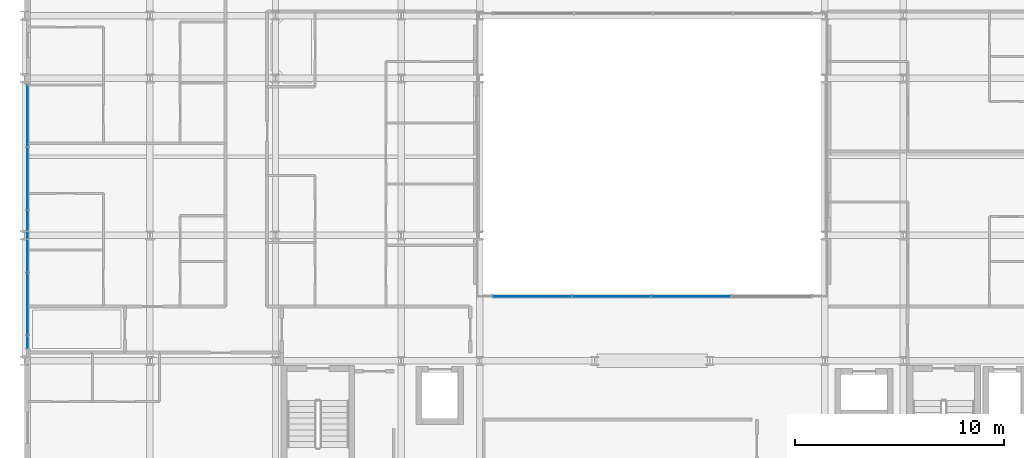
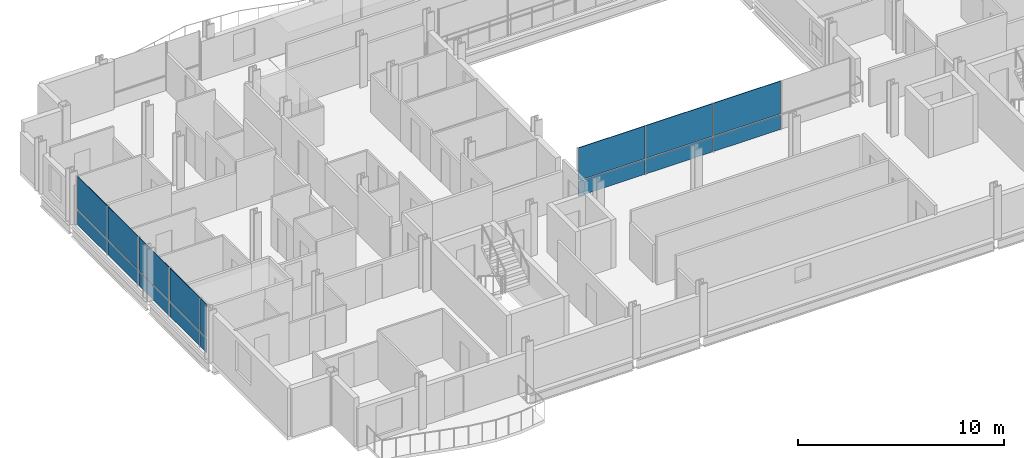
# One storey, part 26 of 40: 16 plates, 2 elements without a shape of their own.
"""IFC4 building model written with IfcOpenShell, lengths in metres."""

from ifc_helpers import new_model, si_unit, direction, frame, origin, origin_2d, place, context, subcontext, project, spatial, rectangle, extrude, material, layer, layer_set, type_object, element, aggregate, save


model = new_model("IFC4")

# Units and contexts
model_context = context("Model", 3, precision=1e-05, world=origin(), true_north=direction((0.0, 1.0)))
body_context = subcontext(model_context, "Body", "Model", "MODEL_VIEW")
ifc_project = project(units=[si_unit("LENGTHUNIT", "METRE"), si_unit("AREAUNIT", "SQUARE_METRE"), si_unit("VOLUMEUNIT", "CUBIC_METRE"), si_unit("PLANEANGLEUNIT", "RADIAN"), si_unit("MASSUNIT", "GRAM", prefix="KILO")], contexts=[model_context])

# Site, building, storey
site_placement = place(None, origin())
site = spatial("IfcSite", under=ifc_project, at=site_placement, CompositionType="ELEMENT")
building_placement = place(site_placement, origin())
building = spatial("IfcBuilding", under=site, at=building_placement, Name="Brevholm Reach", CompositionType="ELEMENT")
storey_placement = place(building_placement, frame((0.0, 0.0, 62.10009765625)))
storey = spatial("IfcBuildingStorey", under=building, at=storey_placement, Name="L17", CompositionType="ELEMENT", Elevation=62.10009765625)

# Curtain wall, plates
ifc_material_1 = material(Name="Dark Anodised Aluminium 6063-T6 and Solar-Control Glass", Category="aluminium")
ifc_layer_1 = layer(ifc_material_1, 0.14990234375)
ifc_layer_set_1 = layer_set([ifc_layer_1], Name="Dark Anodised Aluminium 6063-T6 and Solar-Control Glass")
curtain_wall_type_1 = type_object("IfcCurtainWallType", Name="CW-01", PredefinedType="NOTDEFINED", material=ifc_layer_set_1)
curtain_wall_1_placement = place(storey_placement, origin())
curtain_wall_1 = element("IfcCurtainWall", 1, at=curtain_wall_1_placement, inside=storey, type_object=curtain_wall_type_1, Name="L17 Curtain Wall CW-01", PredefinedType="NOTDEFINED")
ifc_material_2 = material(Name="Dark Solar-Control Double-Glazed IGU Glass", Category="glass")
ifc_layer_2 = layer(ifc_material_2, 0.028076171875)
ifc_layer_set_2 = layer_set([ifc_layer_2], Name="Dark Solar-Control Double-Glazed IGU Glass")
plate_type_1 = type_object("IfcPlateType", Name="CWP-GLZ-28", PredefinedType="CURTAIN_PANEL", material=ifc_layer_set_2)
plate_1_placement = place(storey_placement, frame((0.14990234375, 21.703857421875, 0.0), z_axis=(0.0, 0.0, 1.0), x_axis=(0.0, -1.0, 0.0)))
plate_1 = element("IfcPlate", 2, at=plate_1_placement, type_object=plate_type_1, Name="CP-01 Glazing Panel 1.1", PredefinedType="CURTAIN_PANEL", context=body_context, shape_type="SweptSolid", body=[
    extrude(rectangle(XDim=2.902587890625, YDim=0.028076171875, at=origin_2d()), origin(), (0.0, 0.0, 1.0), 0.867431640625),
])
plate_2_placement = place(storey_placement, frame((0.14990234375, 21.703857421875, 0.932373046875), z_axis=(0.0, 0.0, 1.0), x_axis=(0.0, -1.0, 0.0)))
plate_2 = element("IfcPlate", 3, at=plate_2_placement, type_object=plate_type_1, Name="CP-01 Glazing Panel 1.2", PredefinedType="CURTAIN_PANEL", context=body_context, shape_type="SweptSolid", body=[
    extrude(rectangle(XDim=2.902587890625, YDim=0.028076171875, at=origin_2d()), origin(), (0.0, 0.0, 1.0), 1.9375),
])
plate_3_placement = place(storey_placement, frame((0.14990234375, 18.719970703125, 0.0), z_axis=(0.0, 0.0, 1.0), x_axis=(0.0, -1.0, 0.0)))
plate_3 = element("IfcPlate", 4, at=plate_3_placement, type_object=plate_type_1, Name="CP-01 Glazing Panel 2.1", PredefinedType="CURTAIN_PANEL", context=body_context, shape_type="SweptSolid", body=[
    extrude(rectangle(XDim=2.93505859375, YDim=0.028076171875, at=origin_2d()), origin(), (0.0, 0.0, 1.0), 0.867431640625),
])
plate_4_placement = place(storey_placement, frame((0.14990234375, 18.719970703125, 0.932373046875), z_axis=(0.0, 0.0, 1.0), x_axis=(0.0, -1.0, 0.0)))
plate_4 = element("IfcPlate", 5, at=plate_4_placement, type_object=plate_type_1, Name="CP-01 Glazing Panel 2.2", PredefinedType="CURTAIN_PANEL", context=body_context, shape_type="SweptSolid", body=[
    extrude(rectangle(XDim=2.93505859375, YDim=0.028076171875, at=origin_2d()), origin(), (0.0, 0.0, 1.0), 1.9375),
])
plate_5_placement = place(storey_placement, frame((0.14990234375, 15.719970703125, 0.0), z_axis=(0.0, 0.0, 1.0), x_axis=(0.0, -1.0, 0.0)))
plate_5 = element("IfcPlate", 6, at=plate_5_placement, type_object=plate_type_1, Name="CP-01 Glazing Panel 3.1", PredefinedType="CURTAIN_PANEL", context=body_context, shape_type="SweptSolid", body=[
    extrude(rectangle(XDim=2.93505859375, YDim=0.028076171875, at=origin_2d()), origin(), (0.0, 0.0, 1.0), 0.867431640625),
])
plate_6_placement = place(storey_placement, frame((0.14990234375, 15.719970703125, 0.932373046875), z_axis=(0.0, 0.0, 1.0), x_axis=(0.0, -1.0, 0.0)))
plate_6 = element("IfcPlate", 7, at=plate_6_placement, type_object=plate_type_1, Name="CP-01 Glazing Panel 3.2", PredefinedType="CURTAIN_PANEL", context=body_context, shape_type="SweptSolid", body=[
    extrude(rectangle(XDim=2.93505859375, YDim=0.028076171875, at=origin_2d()), origin(), (0.0, 0.0, 1.0), 1.9375),
])
plate_7_placement = place(storey_placement, frame((0.14990234375, 12.719970703125, 0.0), z_axis=(0.0, 0.0, 1.0), x_axis=(0.0, -1.0, 0.0)))
plate_7 = element("IfcPlate", 8, at=plate_7_placement, type_object=plate_type_1, Name="CP-01 Glazing Panel 4.1", PredefinedType="CURTAIN_PANEL", context=body_context, shape_type="SweptSolid", body=[
    extrude(rectangle(XDim=2.93505859375, YDim=0.028076171875, at=origin_2d()), origin(), (0.0, 0.0, 1.0), 0.867431640625),
])
plate_8_placement = place(storey_placement, frame((0.14990234375, 12.719970703125, 0.932373046875), z_axis=(0.0, 0.0, 1.0), x_axis=(0.0, -1.0, 0.0)))
plate_8 = element("IfcPlate", 9, at=plate_8_placement, type_object=plate_type_1, Name="CP-01 Glazing Panel 4.2", PredefinedType="CURTAIN_PANEL", context=body_context, shape_type="SweptSolid", body=[
    extrude(rectangle(XDim=2.93505859375, YDim=0.028076171875, at=origin_2d()), origin(), (0.0, 0.0, 1.0), 1.9375),
])
plate_9_placement = place(storey_placement, frame((0.14990234375, 10.9013671875, 0.0), z_axis=(0.0, 0.0, 1.0), x_axis=(0.0, -1.0, 0.0)))
plate_9 = element("IfcPlate", 10, at=plate_9_placement, type_object=plate_type_1, Name="CP-01 Glazing Panel 5.1", PredefinedType="CURTAIN_PANEL", context=body_context, shape_type="SweptSolid", body=[
    extrude(rectangle(XDim=0.572509765625, YDim=0.028076171875, at=origin_2d()), origin(), (0.0, 0.0, 1.0), 0.867431640625),
])
plate_10_placement = place(storey_placement, frame((0.14990234375, 10.9013671875, 0.932373046875), z_axis=(0.0, 0.0, 1.0), x_axis=(0.0, -1.0, 0.0)))
plate_10 = element("IfcPlate", 11, at=plate_10_placement, type_object=plate_type_1, Name="CP-01 Glazing Panel 5.2", PredefinedType="CURTAIN_PANEL", context=body_context, shape_type="SweptSolid", body=[
    extrude(rectangle(XDim=0.572509765625, YDim=0.028076171875, at=origin_2d()), origin(), (0.0, 0.0, 1.0), 1.9375),
])
aggregate(curtain_wall_1, [plate_1, plate_2, plate_3, plate_4, plate_5, plate_6, plate_7, plate_8, plate_9, plate_10])

ifc_material_3 = material(Name="Dark Anodised Aluminium 6063-T6 and Solar-Control Glass", Category="aluminium")
ifc_layer_3 = layer(ifc_material_3, 0.139892578125)
ifc_layer_set_3 = layer_set([ifc_layer_3], Name="Dark Anodised Aluminium 6063-T6 and Solar-Control Glass")
curtain_wall_type_2 = type_object("IfcCurtainWallType", Name="CW-02", PredefinedType="NOTDEFINED", material=ifc_layer_set_3)
curtain_wall_2_placement = place(storey_placement, origin())
curtain_wall_2 = element("IfcCurtainWall", 12, at=curtain_wall_2_placement, inside=storey, type_object=curtain_wall_type_2, Name="L17 Curtain Wall CW-02", PredefinedType="NOTDEFINED")
ifc_material_4 = material(Name="Low-Iron Laminated Acoustic Glass", Category="glass")
ifc_layer_4 = layer(ifc_material_4, 0.035888671875)
ifc_layer_set_4 = layer_set([ifc_layer_4], Name="Low-Iron Laminated Acoustic Glass")
plate_type_2 = type_object("IfcPlateType", Name="CWP-GLZ-36", PredefinedType="CURTAIN_PANEL", material=ifc_layer_set_4)
plate_11_placement = place(storey_placement, frame((24.264892578125, 13.080078125, -0.000244140625), z_axis=(0.0, 0.0, 1.0), x_axis=(1.0, 0.0, 0.0)))
plate_11 = element("IfcPlate", 13, at=plate_11_placement, type_object=plate_type_2, Name="CP-02 Glazing Panel 1.1", PredefinedType="CURTAIN_PANEL", context=body_context, shape_type="SweptSolid", body=[
    extrude(rectangle(XDim=3.7099609375, YDim=0.035888671875, at=origin_2d()), origin(), (0.0, 0.0, 1.0), 0.8701171875),
])
plate_12_placement = place(storey_placement, frame((24.264892578125, 13.080078125, 0.929931640625), z_axis=(0.0, 0.0, 1.0), x_axis=(1.0, 0.0, 0.0)))
plate_12 = element("IfcPlate", 14, at=plate_12_placement, type_object=plate_type_2, Name="CP-02 Glazing Panel 1.2", PredefinedType="CURTAIN_PANEL", context=body_context, shape_type="SweptSolid", body=[
    extrude(rectangle(XDim=3.7099609375, YDim=0.035888671875, at=origin_2d()), origin(), (0.0, 0.0, 1.0), 1.93994140625),
])
plate_13_placement = place(storey_placement, frame((28.050048828125, 13.080078125, -0.000244140625), z_axis=(0.0, 0.0, 1.0), x_axis=(1.0, 0.0, 0.0)))
plate_13 = element("IfcPlate", 15, at=plate_13_placement, type_object=plate_type_2, Name="CP-02 Glazing Panel 2.1", PredefinedType="CURTAIN_PANEL", context=body_context, shape_type="SweptSolid", body=[
    extrude(rectangle(XDim=3.739990234375, YDim=0.035888671875, at=origin_2d()), origin(), (0.0, 0.0, 1.0), 0.8701171875),
])
plate_14_placement = place(storey_placement, frame((28.050048828125, 13.080078125, 0.929931640625), z_axis=(0.0, 0.0, 1.0), x_axis=(1.0, 0.0, 0.0)))
plate_14 = element("IfcPlate", 16, at=plate_14_placement, type_object=plate_type_2, Name="CP-02 Glazing Panel 2.2", PredefinedType="CURTAIN_PANEL", context=body_context, shape_type="SweptSolid", body=[
    extrude(rectangle(XDim=3.739990234375, YDim=0.035888671875, at=origin_2d()), origin(), (0.0, 0.0, 1.0), 1.93994140625),
])
plate_15_placement = place(storey_placement, frame((31.85009765625, 13.080078125, -0.000244140625), z_axis=(0.0, 0.0, 1.0), x_axis=(1.0, 0.0, 0.0)))
plate_15 = element("IfcPlate", 17, at=plate_15_placement, type_object=plate_type_2, Name="CP-02 Glazing Panel 3.1", PredefinedType="CURTAIN_PANEL", context=body_context, shape_type="SweptSolid", body=[
    extrude(rectangle(XDim=3.739990234375, YDim=0.035888671875, at=origin_2d()), origin(), (0.0, 0.0, 1.0), 0.8701171875),
])
plate_16_placement = place(storey_placement, frame((31.85009765625, 13.080078125, 0.929931640625), z_axis=(0.0, 0.0, 1.0), x_axis=(1.0, 0.0, 0.0)))
plate_16 = element("IfcPlate", 18, at=plate_16_placement, type_object=plate_type_2, Name="CP-02 Glazing Panel 3.2", PredefinedType="CURTAIN_PANEL", context=body_context, shape_type="SweptSolid", body=[
    extrude(rectangle(XDim=3.739990234375, YDim=0.035888671875, at=origin_2d()), origin(), (0.0, 0.0, 1.0), 1.93994140625),
])
aggregate(curtain_wall_2, [plate_11, plate_12, plate_13, plate_14, plate_15, plate_16])

save(model, "model.ifc")
